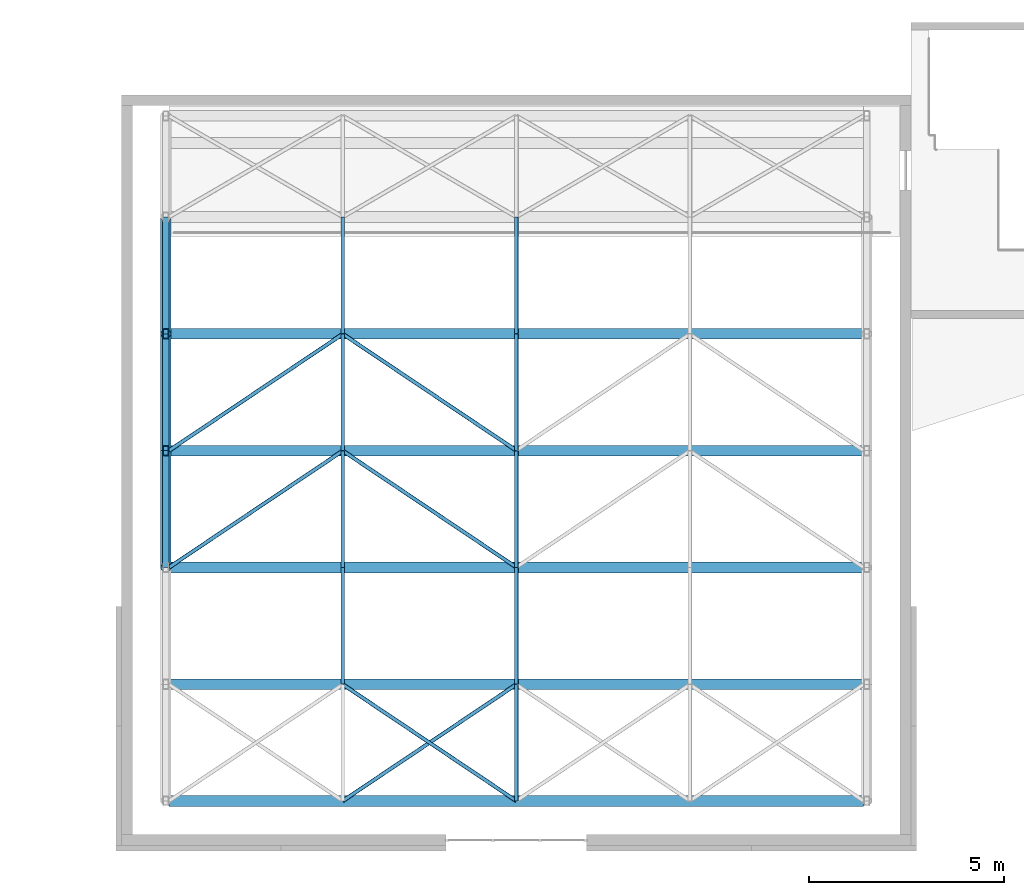
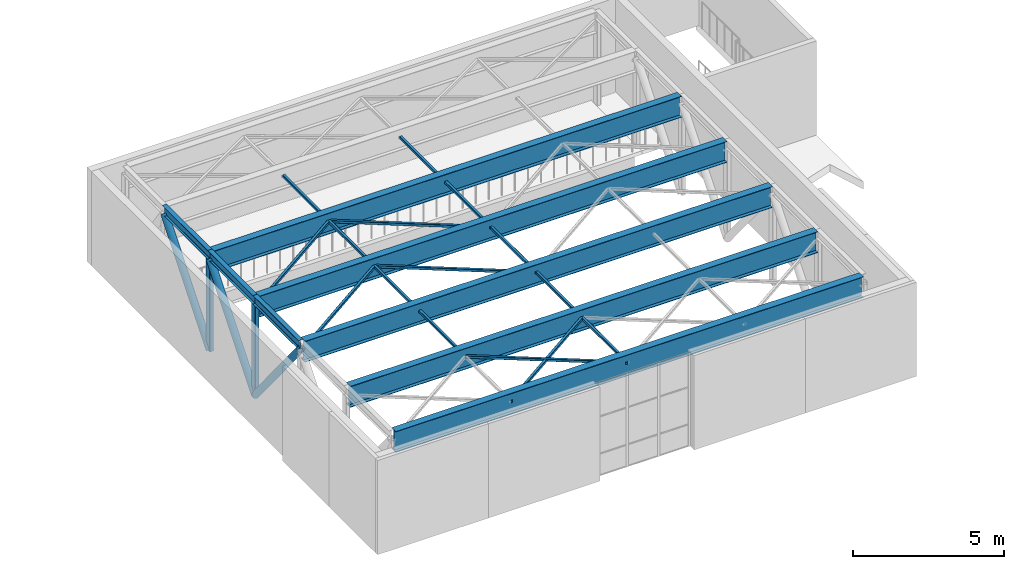
# One storey, part 29 of 81: 23 members, 5 beams.
"""IFC4 building model written with IfcOpenShell, lengths in metres."""

from ifc_helpers import new_model, si_unit, direction, frame, origin, origin_2d, place, context, subcontext, project, spatial, hollow_rectangle, hollow_circle, i_section, extrude, material, material_profile, profile_set, type_object, element, save


model = new_model("IFC4")

# Units and contexts
model_context = context("Model", 3, precision=1e-05, world=origin(), true_north=direction((0.0, 1.0)))
body_context = subcontext(model_context, "Body", "Model", "MODEL_VIEW")
ifc_project = project(units=[si_unit("LENGTHUNIT", "METRE"), si_unit("AREAUNIT", "SQUARE_METRE"), si_unit("VOLUMEUNIT", "CUBIC_METRE"), si_unit("PLANEANGLEUNIT", "RADIAN"), si_unit("MASSUNIT", "GRAM", prefix="KILO")], contexts=[model_context])

# Site, building, storey
site_placement = place(None, origin())
site = spatial("IfcSite", under=ifc_project, at=site_placement, CompositionType="ELEMENT")
building_placement = place(site_placement, origin())
building = spatial("IfcBuilding", under=site, at=building_placement, Name="Tuart Plaza Theatre", CompositionType="ELEMENT")
storey_placement = place(building_placement, frame((0.0, 0.0, 17.5)))
storey = spatial("IfcBuildingStorey", under=building, at=storey_placement, Name="L04", CompositionType="ELEMENT", Elevation=17.5)

# Beams
ifc_material_1 = material(Name="Steel Grade 300", Category="steel")
ifc_material_profile_1 = material_profile(ifc_material_1, i_section(OverallWidth=0.27490234375, OverallDepth=0.85009765625, WebThickness=0.010009765625, FlangeThickness=0.01611328125, at=origin_2d()), Name="850WB146")
ifc_profile_set_1 = profile_set([ifc_material_profile_1], Name="Steel Grade 300")
beam_type_1 = type_object("IfcBeamType", Name="BEAM 850WB146 ROOF CLEAR SPAN", PredefinedType="BEAM", material=ifc_profile_set_1)
for number, where, z_axis, x_axis, name in (
    (1, (87.08544921875, 32.0, 3.375), (1.0, 0.0, 0.0), (0.0, 1.0, 0.0), "SB121"),
    (2, (87.08544921875, 35.0, 3.375), (1.0, 0.0, 0.0), (0.0, 1.0, 0.0), "SB122"),
    (3, (87.08544921875, 38.0, 3.375), (1.0, 0.0, 0.0), (0.0, 1.0, 0.0), "SB123"),
):
    element("IfcBeam", number, at=place(storey_placement, frame(where, z_axis=z_axis, x_axis=x_axis)), inside=storey, type_object=beam_type_1, Name=name, PredefinedType="BEAM", context=body_context, shape_type="SweptSolid", body=[
        extrude(i_section(OverallWidth=0.27490234375, OverallDepth=0.85009765625, WebThickness=0.010009765625, FlangeThickness=0.01611328125, at=origin_2d()), origin(), (0.0, 0.0, 1.0), 17.8291015625),
    ])
ifc_material_2 = material(Name="Steel Grade 300", Category="steel")
ifc_material_profile_2 = material_profile(ifc_material_2, i_section(OverallWidth=0.27490234375, OverallDepth=0.85009765625, WebThickness=0.010009765625, FlangeThickness=0.01611328125, at=origin_2d()), Name="850WB146")
ifc_profile_set_2 = profile_set([ifc_material_profile_2], Name="Steel Grade 300")
beam_type_2 = type_object("IfcBeamType", Name="BEAM 850WB146 ROOF ON RAKER", PredefinedType="BEAM", material=ifc_profile_set_2)
beam_1_placement = place(storey_placement, frame((87.08544921875, 41.0, 3.375), z_axis=(1.0, 0.0, 0.0), x_axis=(0.0, 1.0, 0.0)))
element("IfcBeam", 4, at=beam_1_placement, inside=storey, type_object=beam_type_2, Name="SB124", PredefinedType="BEAM", context=body_context, shape_type="SweptSolid", body=[
    extrude(i_section(OverallWidth=0.27490234375, OverallDepth=0.85009765625, WebThickness=0.010009765625, FlangeThickness=0.01611328125, at=origin_2d()), origin(), (0.0, 0.0, 1.0), 17.8291015625),
])
ifc_material_3 = material(Name="Steel Grade 300", Category="steel")
ifc_material_profile_3 = material_profile(ifc_material_3, i_section(OverallWidth=0.27490234375, OverallDepth=0.85009765625, WebThickness=0.010009765625, FlangeThickness=0.01611328125, at=origin_2d()), Name="850WB146")
ifc_profile_set_3 = profile_set([ifc_material_profile_3], Name="Steel Grade 300")
beam_type_3 = type_object("IfcBeamType", Name="BEAM 850WB146 ROOF PROPPED", PredefinedType="BEAM", material=ifc_profile_set_3)
beam_2_placement = place(storey_placement, frame((87.08544921875, 44.0, 3.375), z_axis=(1.0, 0.0, 0.0), x_axis=(0.0, 1.0, 0.0)))
element("IfcBeam", 5, at=beam_2_placement, inside=storey, type_object=beam_type_3, Name="SB125", PredefinedType="BEAM", context=body_context, shape_type="SweptSolid", body=[
    extrude(i_section(OverallWidth=0.27490234375, OverallDepth=0.85009765625, WebThickness=0.010009765625, FlangeThickness=0.01611328125, at=origin_2d()), origin(), (0.0, 0.0, 1.0), 17.8291015625),
])

# Members
ifc_material_4 = material(Name="Steel Grade 300", Category="steel")
ifc_material_profile_4 = material_profile(ifc_material_4, i_section(OverallWidth=0.1708984375, OverallDepth=0.35205078125, WebThickness=0.0068359375, FlangeThickness=0.009765625, FilletRadius=0.011474609375, at=origin_2d()), Name="360UB44.7")
ifc_profile_set_4 = profile_set([ifc_material_profile_4], Name="Steel Grade 300")
member_type_1 = type_object("IfcMemberType", Name="BELT TRUSS Chord 360UB44.7", PredefinedType="CHORD", material=ifc_profile_set_4)
for number, where, z_axis, x_axis, name in (
    (6, (87.0, 38.0, 3.6240234375), (0.0, 1.0, 0.0), (-1.0, 0.0, 0.0), "CH50"),
    (7, (87.0, 41.0, 3.6240234375), (0.0, 1.0, 0.0), (-1.0, 0.0, 0.0), "CH51"),
    (8, (87.0, 44.0, 3.6240234375), (0.0, 1.0, 0.0), (-1.0, 0.0, 0.0), "CH52"),
):
    element("IfcMember", number, at=place(storey_placement, frame(where, z_axis=z_axis, x_axis=x_axis)), inside=storey, type_object=member_type_1, Name=name, PredefinedType="CHORD", context=body_context, shape_type="SweptSolid", body=[
        extrude(i_section(OverallWidth=0.1708984375, OverallDepth=0.35205078125, WebThickness=0.0068359375, FlangeThickness=0.009765625, FilletRadius=0.011474609375, at=origin_2d()), origin(), (0.0, 0.0, 1.0), 3.0),
    ])
ifc_material_5 = material(Name="Steel Grade C350L0", Category="steel")
ifc_material_profile_5 = material_profile(ifc_material_5, hollow_circle(Radius=0.136474609375, WallThickness=0.00927734375, at=origin_2d()), Name="273.1x9.3 CHS")
ifc_profile_set_5 = profile_set([ifc_material_profile_5], Name="Steel Grade C350L0")
member_type_2 = type_object("IfcMemberType", Name="BELT TRUSS Diagonal 273.1x9.3 CHS", PredefinedType="BRACE", material=ifc_profile_set_5)
for number, where, z_axis, x_axis, name in (
    (9, (87.0, 41.0, -0.22412109375), (0.0, -0.63267406752, 0.774418184373), (1.0, 0.0, 0.0), "BR160"),
    (10, (87.0, 41.0, -0.22412109375), (0.0, 0.63267406752, 0.774418184373), (-1.0, 0.0, 0.0), "BR162"),
    (11, (87.0, 44.0, -0.22412109375), (0.0, 0.63267406752, 0.774418184373), (-1.0, 0.0, 0.0), "BR163"),
):
    element("IfcMember", number, at=place(storey_placement, frame(where, z_axis=z_axis, x_axis=x_axis)), inside=storey, type_object=member_type_2, Name=name, PredefinedType="BRACE", context=body_context, shape_type="SweptSolid", body=[
        extrude(hollow_circle(Radius=0.136474609375, WallThickness=0.00927734375, at=origin_2d()), origin(), (0.0, 0.0, 1.0), 4.74169921875),
    ])
ifc_material_6 = material(Name="Steel Grade C350L0", Category="steel")
ifc_material_profile_6 = material_profile(ifc_material_6, hollow_rectangle(XDim=0.14990234375, YDim=0.25, WallThickness=0.009033203125, InnerFilletRadius=0.009033203125, OuterFilletRadius=0.01806640625, at=origin_2d()), Name="250x150x9 RHS")
ifc_profile_set_6 = profile_set([ifc_material_profile_6], Name="Steel Grade C350L0")
member_type_3 = type_object("IfcMemberType", Name="BELT TRUSS Post 250x150x9 RHS", PredefinedType="POST", material=ifc_profile_set_6)
for number, where, z_axis, x_axis, name in (
    (12, (87.0, 41.0, -0.22412109375), (0.0, 0.0, 1.0), (1.0, 0.0, 0.0), "PO220"),
    (13, (87.0, 44.0, -0.22412109375), (0.0, 0.0, 1.0), (1.0, 0.0, 0.0), "PO222"),
):
    element("IfcMember", number, at=place(storey_placement, frame(where, z_axis=z_axis, x_axis=x_axis)), inside=storey, type_object=member_type_3, Name=name, PredefinedType="POST", context=body_context, shape_type="SweptSolid", body=[
        extrude(hollow_rectangle(XDim=0.14990234375, YDim=0.25, WallThickness=0.009033203125, InnerFilletRadius=0.009033203125, OuterFilletRadius=0.01806640625, at=origin_2d()), origin(), (0.0, 0.0, 1.0), 3.672119140625),
    ])
ifc_material_7 = material(Name="Steel Grade C350L0", Category="steel")
ifc_material_profile_7 = material_profile(ifc_material_7, hollow_rectangle(XDim=0.10009765625, YDim=0.10009765625, WallThickness=0.006103515625, InnerFilletRadius=0.006103515625, OuterFilletRadius=0.011962890625, at=origin_2d()), Name="100x100x6 SHS")
ifc_profile_set_7 = profile_set([ifc_material_profile_7], Name="Steel Grade C350L0")
member_type_4 = type_object("IfcMemberType", Name="MEMBER Brace 100x100x6 SHS", PredefinedType="BRACE", material=ifc_profile_set_7)
for number, where, z_axis, x_axis, name in (
    (14, (91.542724609375, 32.0048828125, 3.375), (0.830437288335, 0.557112116313, 0.0), (-0.557112116313, 0.830437288335, 0.0), "BR176"),
    (15, (91.542724609375, 34.9951171875, 3.375), (0.830437288335, -0.557112116313, 0.0), (0.557112116313, 0.830437288335, 0.0), "BR176"),
    (16, (87.08544921875, 38.0048828125, 3.375), (0.830437288335, 0.557112116313, 0.0), (-0.557112116313, 0.830437288335, 0.0), "BR179"),
    (17, (91.542724609375, 40.9951171875, 3.375), (0.830437288335, -0.557112116313, 0.0), (0.557112116313, 0.830437288335, 0.0), "BR180"),
    (18, (87.08544921875, 41.0048828125, 3.375), (0.830437288335, 0.557112116313, 0.0), (-0.557112116313, 0.830437288335, 0.0), "BR183"),
    (19, (91.542724609375, 43.9951171875, 3.375), (0.830437288335, -0.557112116313, 0.0), (0.557112116313, 0.830437288335, 0.0), "BR184"),
):
    element("IfcMember", number, at=place(storey_placement, frame(where, z_axis=z_axis, x_axis=x_axis)), inside=storey, type_object=member_type_4, Name=name, PredefinedType="BRACE", context=body_context, shape_type="SweptSolid", body=[
        extrude(hollow_rectangle(XDim=0.10009765625, YDim=0.10009765625, WallThickness=0.006103515625, InnerFilletRadius=0.006103515625, OuterFilletRadius=0.011962890625, at=origin_2d()), origin(), (0.0, 0.0, 1.0), 5.367431640625),
    ])
ifc_material_8 = material(Name="Steel Grade C350L0", Category="steel")
ifc_material_profile_8 = material_profile(ifc_material_8, hollow_rectangle(XDim=0.10009765625, YDim=0.10009765625, WallThickness=0.006103515625, InnerFilletRadius=0.006103515625, OuterFilletRadius=0.011962890625, at=origin_2d()), Name="100x100x6 SHS")
ifc_profile_set_8 = profile_set([ifc_material_profile_8], Name="Steel Grade C350L0")
member_type_5 = type_object("IfcMemberType", Name="MEMBER Purlin 100x100x6 SHS", PredefinedType="PURLIN", material=ifc_profile_set_8)
for number, where, z_axis, x_axis, name in (
    (20, (96.0, 32.0048828125, 3.375), (0.0, 1.0, 0.0), (-1.0, 0.0, 0.0), "PU116"),
    (21, (91.542724609375, 35.0048828125, 3.375), (0.0, 1.0, 0.0), (-1.0, 0.0, 0.0), "PU118"),
    (22, (96.0, 35.0048828125, 3.375), (0.0, 1.0, 0.0), (-1.0, 0.0, 0.0), "PU119"),
    (23, (91.542724609375, 38.0048828125, 3.375), (0.0, 1.0, 0.0), (-1.0, 0.0, 0.0), "PU121"),
    (24, (96.0, 38.0048828125, 3.375), (0.0, 1.0, 0.0), (-1.0, 0.0, 0.0), "PU122"),
    (25, (91.542724609375, 41.0048828125, 3.375), (0.0, 1.0, 0.0), (-1.0, 0.0, 0.0), "PU124"),
    (26, (96.0, 41.0048828125, 3.375), (0.0, 1.0, 0.0), (-1.0, 0.0, 0.0), "PU125"),
    (27, (91.542724609375, 44.0048828125, 3.375), (0.0, 1.0, 0.0), (-1.0, 0.0, 0.0), "PU127"),
    (28, (96.0, 44.0048828125, 3.375), (0.0, 1.0, 0.0), (-1.0, 0.0, 0.0), "PU128"),
):
    element("IfcMember", number, at=place(storey_placement, frame(where, z_axis=z_axis, x_axis=x_axis)), inside=storey, type_object=member_type_5, Name=name, PredefinedType="PURLIN", context=body_context, shape_type="SweptSolid", body=[
        extrude(hollow_rectangle(XDim=0.10009765625, YDim=0.10009765625, WallThickness=0.006103515625, InnerFilletRadius=0.006103515625, OuterFilletRadius=0.011962890625, at=origin_2d()), origin(), (0.0, 0.0, 1.0), 2.990234375),
    ])

save(model, "model.ifc")
